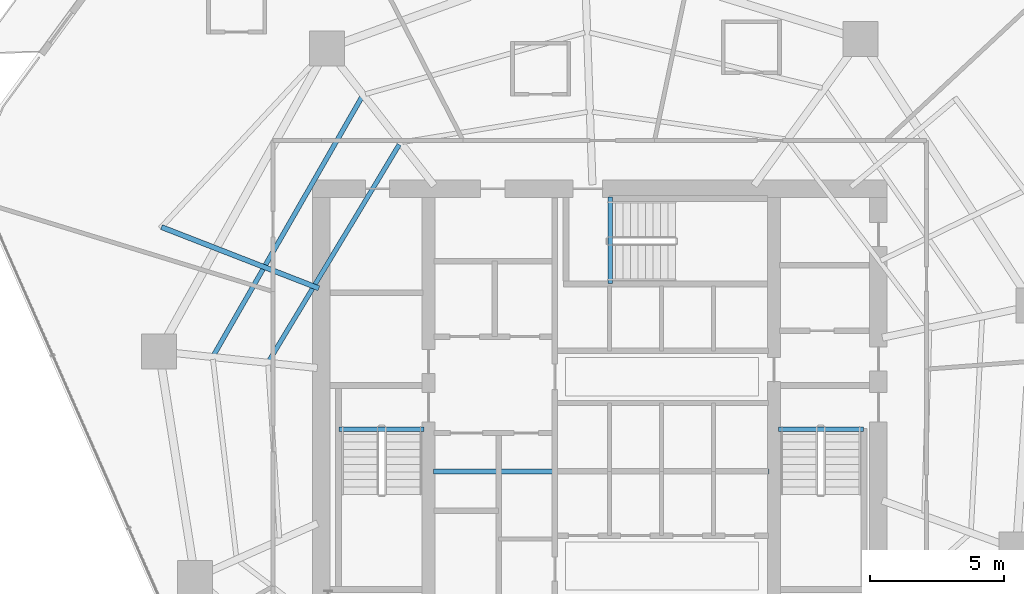
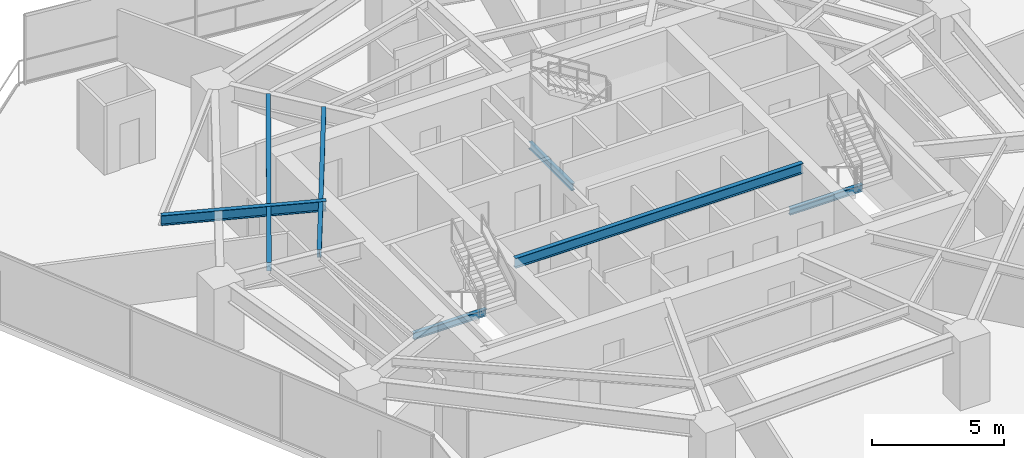
# One storey, part 8 of 28: 7 beams.
"""IFC4 building model written with IfcOpenShell, lengths in metres."""

from ifc_helpers import new_model, si_unit, direction, frame, origin, origin_2d, place, context, subcontext, project, spatial, i_section, extrude, material, material_profile, profile_set, type_object, element, save


model = new_model("IFC4")

# Units and contexts
model_context = context("Model", 3, precision=1e-05, world=origin(), true_north=direction((0.0, 1.0)))
body_context = subcontext(model_context, "Body", "Model", "MODEL_VIEW")
ifc_project = project(units=[si_unit("LENGTHUNIT", "METRE"), si_unit("AREAUNIT", "SQUARE_METRE"), si_unit("VOLUMEUNIT", "CUBIC_METRE"), si_unit("PLANEANGLEUNIT", "RADIAN"), si_unit("MASSUNIT", "GRAM", prefix="KILO")], contexts=[model_context])

# Site, building, storey
site_placement = place(None, origin())
site = spatial("IfcSite", under=ifc_project, at=site_placement, CompositionType="ELEMENT")
building_placement = place(site_placement, origin())
building = spatial("IfcBuilding", under=site, at=building_placement, Name="Qarnah Convention Tower", CompositionType="ELEMENT")
storey_placement = place(building_placement, frame((0.0, 0.0, 44.25)))
storey = spatial("IfcBuildingStorey", under=building, at=storey_placement, Name="L10", CompositionType="ELEMENT", Elevation=44.25)

# Beams
ifc_material = material(Name="Structural steel S355JR", Category="steel")
ifc_material_profile_1 = material_profile(ifc_material, i_section(OverallWidth=0.19189453125, OverallDepth=0.464111328125, WebThickness=0.010986328125, FlangeThickness=0.01806640625, at=origin_2d()), Name="W460X89")
ifc_profile_set_1 = profile_set([ifc_material_profile_1], Name="Structural steel S355JR")
beam_type_1 = type_object("IfcBeamType", Name="BM-CANT-W460A", PredefinedType="BEAM", material=ifc_profile_set_1)
beam_1_placement = place(storey_placement, frame((30.97998046875, 23.64990234375, 2.93798828125), z_axis=(1.0, 0.0, 0.0), x_axis=(0.0, 1.0, 0.0)))
element("IfcBeam", 1, at=beam_1_placement, inside=storey, type_object=beam_type_1, Name="L10 beam BM-L10-KC1", PredefinedType="BEAM", context=body_context, shape_type="SweptSolid", body=[
    extrude(i_section(OverallWidth=0.19189453125, OverallDepth=0.464111328125, WebThickness=0.010986328125, FlangeThickness=0.01806640625, at=origin_2d()), origin(), (0.0, 0.0, 1.0), 12.5400390625),
])
beam_2_placement = place(storey_placement, frame((26.70703125, 30.48388671875, 2.93798828125), z_axis=(-0.931897088326, 0.36272278226, 0.0), x_axis=(-0.36272278226, -0.931897088326, 0.0)))
element("IfcBeam", 2, at=beam_2_placement, inside=storey, type_object=beam_type_1, Name="L10 beam BM-L10-CNT-02-2", PredefinedType="BEAM", context=body_context, shape_type="SweptSolid", body=[
    extrude(i_section(OverallWidth=0.19189453125, OverallDepth=0.464111328125, WebThickness=0.010986328125, FlangeThickness=0.01806640625, at=origin_2d()), origin(), (0.0, 0.0, 1.0), 6.305419921875),
])
ifc_material_profile_2 = material_profile(ifc_material, i_section(OverallWidth=0.166015625, OverallDepth=0.31201171875, WebThickness=0.007080078125, FlangeThickness=0.010986328125, at=origin_2d()), Name="W310X45")
ifc_profile_set_2 = profile_set([ifc_material_profile_2], Name="Structural steel S355JR")
beam_type_2 = type_object("IfcBeamType", Name="BM-JST-W310", PredefinedType="JOIST", material=ifc_profile_set_2)
for number, where, z_axis, x_axis, name in (
    (3, (27.4599609375, 25.217041015625, -0.156005859375), (1.0, 0.0, 0.0), (0.0, 1.0, 0.0), "L10 stair landing trimmer beam BM-L10-ST1-TRM"),
    (4, (43.860107421875, 25.217041015625, -0.156005859375), (1.0, 0.0, 0.0), (0.0, 1.0, 0.0), "L10 stair landing trimmer beam BM-L10-ST2-TRM"),
):
    element("IfcBeam", number, at=place(storey_placement, frame(where, z_axis=z_axis, x_axis=x_axis)), inside=storey, type_object=beam_type_2, Name=name, PredefinedType="BEAM", context=body_context, shape_type="SweptSolid", body=[
        extrude(i_section(OverallWidth=0.166015625, OverallDepth=0.31201171875, WebThickness=0.007080078125, FlangeThickness=0.010986328125, at=origin_2d()), origin(), (0.0, 0.0, 1.0), 3.179931640625),
    ])
beam_3_placement = place(storey_placement, frame((37.5830078125, 30.659912109375, -0.156005859375), z_axis=(0.0, 1.0, 0.0), x_axis=(-1.0, 0.0, 0.0)))
element("IfcBeam", 5, at=beam_3_placement, inside=storey, type_object=beam_type_2, Name="L10 stair landing trimmer beam BM-L10-ST3-TRM", PredefinedType="BEAM", context=body_context, shape_type="SweptSolid", body=[
    extrude(i_section(OverallWidth=0.166015625, OverallDepth=0.31201171875, WebThickness=0.007080078125, FlangeThickness=0.010986328125, at=origin_2d()), origin(), (0.0, 0.0, 1.0), 3.239990234375),
])
ifc_material_profile_3 = material_profile(ifc_material, i_section(OverallWidth=0.172119140625, OverallDepth=0.35595703125, WebThickness=0.007080078125, FlangeThickness=0.011962890625, at=origin_2d()), Name="W360X51")
ifc_profile_set_3 = profile_set([ifc_material_profile_3], Name="Structural steel S355JR")
beam_type_3 = type_object("IfcBeamType", Name="BM-JST-W360", PredefinedType="JOIST", material=ifc_profile_set_3)
beam_4_placement = place(storey_placement, frame((29.708984375, 35.85302734375, 2.991943359375), z_axis=(-0.515919880383, -0.856636840805, 0.0), x_axis=(0.856636840805, -0.515919880383, 0.0)))
element("IfcBeam", 6, at=beam_4_placement, inside=storey, type_object=beam_type_3, Name="L10 joist BM-L10-IJST-04", PredefinedType="JOIST", context=body_context, shape_type="SweptSolid", body=[
    extrude(i_section(OverallWidth=0.172119140625, OverallDepth=0.35595703125, WebThickness=0.007080078125, FlangeThickness=0.011962890625, at=origin_2d()), origin(), (0.0, 0.0, 1.0), 9.424072265625),
])
ifc_material_profile_4 = material_profile(ifc_material, i_section(OverallWidth=0.177978515625, OverallDepth=0.407958984375, WebThickness=0.008056640625, FlangeThickness=0.012939453125, at=origin_2d()), Name="W410X60")
ifc_profile_set_4 = profile_set([ifc_material_profile_4], Name="Structural steel S355JR")
beam_type_4 = type_object("IfcBeamType", Name="BM-JST-W410", PredefinedType="JOIST", material=ifc_profile_set_4)
beam_5_placement = place(storey_placement, frame((28.31689453125, 37.634033203125, 2.966064453125), z_axis=(-0.497881902543, -0.867244839201, 0.0), x_axis=(0.867244839201, -0.497881902543, 0.0)))
element("IfcBeam", 7, at=beam_5_placement, inside=storey, type_object=beam_type_4, Name="L10 joist BM-L10-SJST-04", PredefinedType="JOIST", context=body_context, shape_type="SweptSolid", body=[
    extrude(i_section(OverallWidth=0.177978515625, OverallDepth=0.407958984375, WebThickness=0.008056640625, FlangeThickness=0.012939453125, at=origin_2d()), origin(), (0.0, 0.0, 1.0), 11.111083984375),
])

save(model, "model.ifc")
